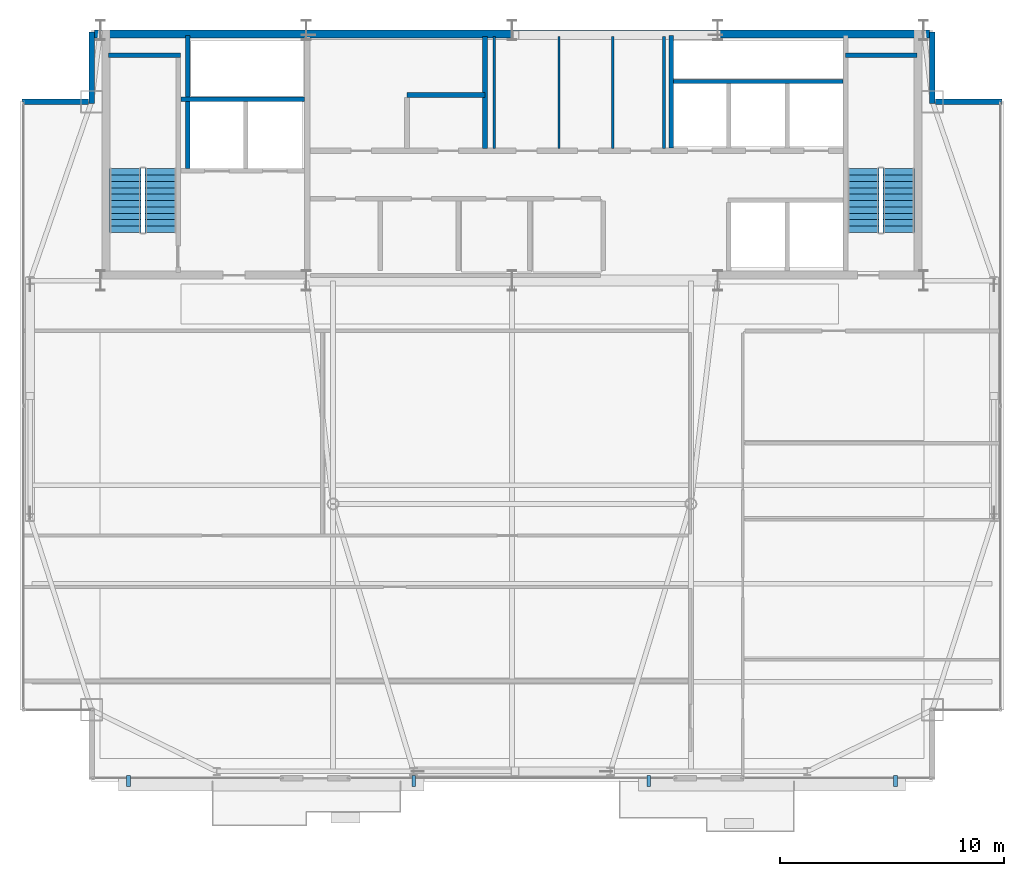
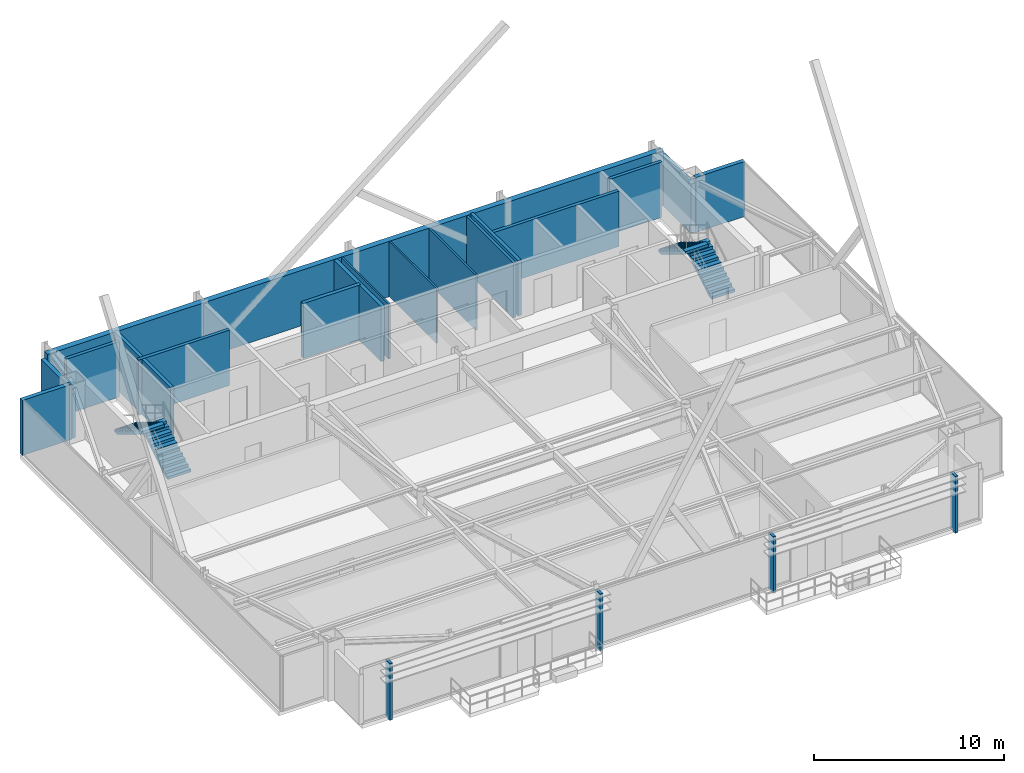
# One storey, part 23 of 25: 17 walls, 4 discrete accessories, 4 stair flights, 2 elements without a shape of their own.
"""IFC4 building model written with IfcOpenShell, lengths in metres."""

from ifc_helpers import new_model, si_unit, direction, frame, frame_2d, origin, origin_2d, place, context, subcontext, project, spatial, polyline, rectangle, outline, extrude, source, transform, mapped, material, layer, layer_set, type_object, type_shapes, element, aggregate, save


model = new_model("IFC4")

# Units and contexts
model_context = context("Model", 3, precision=1e-05, world=origin(), true_north=direction((0.0, 1.0)))
body_context = subcontext(model_context, "Body", "Model", "MODEL_VIEW")
ifc_project = project(units=[si_unit("LENGTHUNIT", "METRE"), si_unit("AREAUNIT", "SQUARE_METRE"), si_unit("VOLUMEUNIT", "CUBIC_METRE"), si_unit("PLANEANGLEUNIT", "RADIAN"), si_unit("MASSUNIT", "GRAM", prefix="KILO")], contexts=[model_context])

# Site, building, storey
site_placement = place(None, origin())
site = spatial("IfcSite", under=ifc_project, at=site_placement, CompositionType="ELEMENT")
building_placement = place(site_placement, origin())
building = spatial("IfcBuilding", under=site, at=building_placement, Name="Varnel Quay Broadcast Tower", CompositionType="ELEMENT")
storey_placement = place(building_placement, frame((0.0, 0.0, 273.60009765625)))
storey = spatial("IfcBuildingStorey", under=building, at=storey_placement, Name="L68", CompositionType="ELEMENT", Elevation=273.60009765625)

# Walls
ifc_material_1 = material(Name="Concrete CSA A23.3 C50/60", Category="concrete")
ifc_layer_1 = layer(ifc_material_1, 0.199951171875, Name="Concrete CSA A23.3 C50/60")
ifc_layer_set_1 = layer_set([ifc_layer_1], Name="Concrete CSA A23.3 C50/60")
wall_type_1 = type_object("IfcWallType", Name="Wall_CoreShaftShear200", PredefinedType="SHEAR", material=ifc_layer_set_1)
wall_1_placement = place(storey_placement, frame((15.949951171875, 45.679931640625, 0.0), z_axis=(0.0, 0.0, 1.0), x_axis=(1.0, 0.0, 0.0)))
element("IfcWall", 1, at=wall_1_placement, inside=storey, type_object=wall_type_1, Name="L68 Stair 1 North Structural Wall", PredefinedType="SHEAR", context=body_context, shape_type="SweptSolid", body=[
    extrude(rectangle(XDim=3.22998046875, YDim=0.199951171875, at=frame_2d((1.614990234375, 0.0))), origin(), (0.0, 0.0, 1.0), 3.5498046875),
])
wall_2_placement = place(storey_placement, frame((19.199951171875, 43.699951171875, 0.0), z_axis=(0.0, 0.0, 1.0), x_axis=(1.0, 0.0, 0.0)))
element("IfcWall", 2, at=wall_2_placement, inside=storey, type_object=wall_type_1, Name="L68 Firefighter Lift Shaft Rear Wall", PredefinedType="SHEAR", context=body_context, shape_type="SweptSolid", body=[
    extrude(rectangle(XDim=5.52001953125, YDim=0.199951171875, at=frame_2d((2.760009765625, 0.0))), origin(), (0.0, 0.0, 1.0), 3.5498046875),
])
wall_3_placement = place(storey_placement, frame((19.5, 40.60009765625, 0.0), z_axis=(0.0, 0.0, 1.0), x_axis=(0.0, 1.0, 0.0)))
element("IfcWall", 3, at=wall_3_placement, inside=storey, type_object=wall_type_1, Name="L68 Firefighter Lift Shaft West Wall", PredefinedType="SHEAR", context=body_context, shape_type="SweptSolid", body=[
    extrude(rectangle(XDim=5.949951171875, YDim=0.199951171875, at=frame_2d((2.97509765625, 0.0))), origin(), (0.0, 0.0, 1.0), 3.5498046875),
])
wall_4_placement = place(storey_placement, frame((48.919921875, 45.679931640625, 0.0), z_axis=(0.0, 0.0, 1.0), x_axis=(1.0, 0.0, 0.0)))
element("IfcWall", 4, at=wall_4_placement, inside=storey, type_object=wall_type_1, Name="L68 Stair 2 North Structural Wall", PredefinedType="SHEAR", context=body_context, shape_type="SweptSolid", body=[
    extrude(rectangle(XDim=3.18017578125, YDim=0.199951171875, at=frame_2d((1.590087890625, 0.0))), origin(), (0.0, 0.0, 1.0), 3.5498046875),
])
wall_5_placement = place(storey_placement, frame((41.219970703125, 44.5, 0.0), z_axis=(0.0, 0.0, 1.0), x_axis=(1.0, 0.0, 0.0)))
element("IfcWall", 5, at=wall_5_placement, inside=storey, type_object=wall_type_1, Name="L68 High-Rise Lift Shaft Rear Wall", PredefinedType="SHEAR", context=body_context, shape_type="SweptSolid", body=[
    extrude(rectangle(XDim=7.580078125, YDim=0.199951171875, at=frame_2d((3.7900390625, 0.0))), origin(), (0.0, 0.0, 1.0), 3.5498046875),
])
wall_6_placement = place(storey_placement, frame((41.1201171875, 41.530029296875, 0.0), z_axis=(0.0, 0.0, 1.0), x_axis=(0.0, 1.0, 0.0)))
element("IfcWall", 6, at=wall_6_placement, inside=storey, type_object=wall_type_1, Name="L68 High-Rise Lift Shaft Divider 1", PredefinedType="SHEAR", context=body_context, shape_type="SweptSolid", body=[
    extrude(rectangle(XDim=5.02001953125, YDim=0.199951171875, at=frame_2d((2.510009765625, 0.0))), origin(), (0.0, 0.0, 1.0), 3.5498046875),
])
ifc_layer_2 = layer(ifc_material_1, 0.35009765625, Name="Concrete CSA A23.3 C50/60")
ifc_layer_set_2 = layer_set([ifc_layer_2], Name="Concrete CSA A23.3 C50/60")
wall_type_2 = type_object("IfcWallType", Name="Wall_CoreShearExt350", PredefinedType="SHEAR", material=ifc_layer_set_2)
wall_7_placement = place(storey_placement, frame((15.324951171875, 46.625, 0.0), z_axis=(0.0, 0.0, 1.0), x_axis=(1.0, 0.0, 0.0)))
element("IfcWall", 7, at=wall_7_placement, inside=storey, type_object=wall_type_2, Name="L68 North Core Shear Wall", PredefinedType="SHEAR", context=body_context, shape_type="SweptSolid", body=[
    extrude(rectangle(XDim=37.35009765625, YDim=0.35009765625, at=frame_2d((18.675048828125, 0.0))), origin(), (0.0, 0.0, 1.0), 3.5498046875),
])
ifc_material_2 = material(Name="Precast Architectural Concrete C40/50", Category="concrete")
ifc_layer_3 = layer(ifc_material_2, 0.25, Name="Precast Architectural Concrete C40/50")
ifc_layer_set_3 = layer_set([ifc_layer_3], Name="Precast Architectural Concrete C40/50")
wall_type_3 = type_object("IfcWallType", Name="Wall_ExtTerrace250", PredefinedType="SOLIDWALL", material=ifc_layer_set_3)
wall_8_placement = place(storey_placement, frame((12.080078125, 43.60009765625, 0.0), z_axis=(0.0, 0.0, 1.0), x_axis=(1.0, 0.0, 0.0)))
element("IfcWall", 8, at=wall_8_placement, inside=storey, type_object=wall_type_3, Name="L68 Mega-Column Notch Cladding Wall NNW1", PredefinedType="SOLIDWALL", context=body_context, shape_type="SweptSolid", body=[
    extrude(rectangle(XDim=2.989990234375, YDim=0.25, at=frame_2d((1.4951171875, 0.0))), origin(), (0.0, 0.0, 1.0), 3.52978515625),
])
wall_9_placement = place(storey_placement, frame((15.199951171875, 43.52001953125, 0.0), z_axis=(0.0, 0.0, 1.0), x_axis=(0.0, 1.0, 0.0)))
element("IfcWall", 9, at=wall_9_placement, inside=storey, type_object=wall_type_3, Name="L68 Mega-Column Notch Cladding Wall NNW2", PredefinedType="SOLIDWALL", context=body_context, shape_type="SweptSolid", body=[
    extrude(rectangle(XDim=3.199951171875, YDim=0.25, at=frame_2d((1.60009765625, 0.0))), origin(), (0.0, 0.0, 1.0), 3.1708984375),
])
wall_10_placement = place(storey_placement, frame((52.929931640625, 43.60009765625, 0.0), z_axis=(0.0, 0.0, 1.0), x_axis=(1.0, 0.0, 0.0)))
element("IfcWall", 10, at=wall_10_placement, inside=storey, type_object=wall_type_3, Name="L68 Mega-Column Notch Cladding Wall NNE1", PredefinedType="SOLIDWALL", context=body_context, shape_type="SweptSolid", body=[
    extrude(rectangle(XDim=2.989990234375, YDim=0.25, at=frame_2d((1.4951171875, 0.0))), origin(), (0.0, 0.0, 1.0), 3.52978515625),
])
wall_11_placement = place(storey_placement, frame((52.800048828125, 43.52001953125, 0.0), z_axis=(0.0, 0.0, 1.0), x_axis=(0.0, 1.0, 0.0)))
element("IfcWall", 11, at=wall_11_placement, inside=storey, type_object=wall_type_3, Name="L68 Mega-Column Notch Cladding Wall NNE2", PredefinedType="SOLIDWALL", context=body_context, shape_type="SweptSolid", body=[
    extrude(rectangle(XDim=3.199951171875, YDim=0.25, at=frame_2d((1.60009765625, 0.0))), origin(), (0.0, 0.0, 1.0), 3.1708984375),
])
ifc_material_3 = material(Name="Steel-Stud Fire-Rated Acoustic Gypsum Partition Assembly", Category="steel")
ifc_layer_4 = layer(ifc_material_3, 0.10498046875, Name="Steel-Stud Fire-Rated Acoustic Gypsum Partition Assembly")
ifc_layer_set_4 = layer_set([ifc_layer_4], Name="Steel-Stud Fire-Rated Acoustic Gypsum Partition Assembly")
wall_type_4 = type_object("IfcWallType", Name="Wall_Partition105", PredefinedType="PARTITIONING", material=ifc_layer_set_4)
for number, where, z_axis, x_axis, name in (
    (12, (36.10009765625, 41.5, 0.0), (0.0, 0.0, 1.0), (0.0, 1.0, 0.0), "L68 Audio Patch Closet Partition 22"),
    (13, (33.199951171875, 41.5, 0.0), (0.0, 0.0, 1.0), (0.0, 1.0, 0.0), "L68 Audio Patch Closet Partition 23"),
    (14, (38.5, 41.5, 0.0), (0.0, 0.0, 1.0), (0.0, 1.0, 0.0), "L68 Bureau Reference Archive Partition 24"),
):
    element("IfcWall", number, at=place(storey_placement, frame(where, z_axis=z_axis, x_axis=x_axis)), inside=storey, type_object=wall_type_4, Name=name, PredefinedType="PARTITIONING", context=body_context, shape_type="SweptSolid", body=[
        extrude(rectangle(XDim=5.02001953125, YDim=0.10498046875, at=frame_2d((2.510009765625, 0.0))), origin(), (0.0, 0.0, 1.0), 3.52978515625),
    ])
ifc_layer_5 = layer(ifc_material_3, 0.14990234375, Name="Steel-Stud Fire-Rated Acoustic Gypsum Partition Assembly")
ifc_layer_set_5 = layer_set([ifc_layer_5], Name="Steel-Stud Fire-Rated Acoustic Gypsum Partition Assembly")
wall_type_5 = type_object("IfcWallType", Name="Wall_Partition150", PredefinedType="PARTITIONING", material=ifc_layer_set_5)
wall_12_placement = place(storey_placement, frame((40.800048828125, 41.5, 0.0), z_axis=(0.0, 0.0, 1.0), x_axis=(0.0, 1.0, 0.0)))
element("IfcWall", 15, at=wall_12_placement, inside=storey, type_object=wall_type_5, Name="L68 Crew Espresso Niche Partition 25", PredefinedType="PARTITIONING", context=body_context, shape_type="SweptSolid", body=[
    extrude(rectangle(XDim=5.02001953125, YDim=0.14990234375, at=frame_2d((2.510009765625, 0.0))), origin(), (0.0, 0.0, 1.0), 3.52978515625),
])
ifc_layer_6 = layer(ifc_material_3, 0.22509765625, Name="Steel-Stud Fire-Rated Acoustic Gypsum Partition Assembly")
ifc_layer_set_6 = layer_set([ifc_layer_6], Name="Steel-Stud Fire-Rated Acoustic Gypsum Partition Assembly")
wall_type_6 = type_object("IfcWallType", Name="Wall_Partition225", PredefinedType="PARTITIONING", material=ifc_layer_set_6)
wall_13_placement = place(storey_placement, frame((29.300048828125, 43.89990234375, 0.0), z_axis=(0.0, 0.0, 1.0), x_axis=(1.0, 0.0, 0.0)))
element("IfcWall", 16, at=wall_13_placement, inside=storey, type_object=wall_type_6, Name="L68 Signal Routing Suite Partition 20", PredefinedType="PARTITIONING", context=body_context, shape_type="SweptSolid", body=[
    extrude(rectangle(XDim=3.5, YDim=0.22509765625, at=frame_2d((1.75, 0.0))), origin(), (0.0, 0.0, 1.0), 3.52978515625),
])
wall_14_placement = place(storey_placement, frame((32.800048828125, 41.5, 0.0), z_axis=(0.0, 0.0, 1.0), x_axis=(0.0, 1.0, 0.0)))
element("IfcWall", 17, at=wall_14_placement, inside=storey, type_object=wall_type_6, Name="L68 Signal Routing Suite Partition 21", PredefinedType="PARTITIONING", context=body_context, shape_type="SweptSolid", body=[
    extrude(rectangle(XDim=5.02001953125, YDim=0.22509765625, at=frame_2d((2.510009765625, 0.0))), origin(), (0.0, 0.0, 1.0), 3.52978515625),
])

# Stair, stair flights
ifc_material_4 = material(Name="Precast Structural Concrete C40/50", Category="concrete")
stair_type_1 = type_object("IfcStairType", Name="Stair_ST-01", PredefinedType="HALF_TURN_STAIR", material=ifc_material_4)
stair_1_placement = place(storey_placement, origin())
stair_1 = element("IfcStair", 18, at=stair_1_placement, inside=storey, type_object=stair_type_1, Name="L68 West Core Exit Stair 1", PredefinedType="HALF_TURN_STAIR")
stair_flight_type_1 = type_object("IfcStairFlightType", Name="Flight_ST-01", PredefinedType="STRAIGHT", material=ifc_material_4)
stair_flight_1_placement = place(storey_placement, frame((18.300048828125, 37.75, 0.0), z_axis=(0.0, 0.0, 1.0), x_axis=(0.0, 1.0, 0.0)))
stair_flight_1 = element("IfcStairFlight", 19, at=stair_flight_1_placement, type_object=stair_flight_type_1, Name="ST-01 flight 1", NumberOfRisers=11, NumberOfTreads=10, PredefinedType="STRAIGHT", RiserHeight=0.172727273, TreadLength=0.285, context=body_context, shape_type="SweptSolid", body=[
    extrude(outline(polyline([(0.0, 0.0), (0.0, 0.172607421875), (0.284912109375, 0.172607421875), (0.284912109375, 0.345458984375), (0.570068359375, 0.345458984375), (0.570068359375, 0.51806640625), (0.85498046875, 0.51806640625), (0.85498046875, 0.69091796875), (1.139892578125, 0.69091796875), (1.139892578125, 0.863525390625), (1.425048828125, 0.863525390625), (1.425048828125, 1.036376953125), (1.7099609375, 1.036376953125), (1.7099609375, 1.208984375), (1.9951171875, 1.208984375), (1.9951171875, 1.3818359375), (2.280029296875, 1.3818359375), (2.280029296875, 1.554443359375), (2.56494140625, 1.554443359375), (2.56494140625, 1.727294921875), (2.85009765625, 1.727294921875), (2.85009765625, 1.89990234375), (2.85009765625, 1.552001953125), (0.289306640625, 0.0), (0.0, 0.0)])), frame((0.0, 0.699951171875, 0.0), z_axis=(0.0, -1.0, 0.0), x_axis=(1.0, 0.0, 0.0)), (0.0, 0.0, 1.0), 1.39990234375),
])
stair_flight_2_placement = place(storey_placement, frame((16.699951171875, 40.60009765625, 1.89990234375), z_axis=(0.0, 0.0, 1.0), x_axis=(0.0, -1.0, 0.0)))
stair_flight_2 = element("IfcStairFlight", 20, at=stair_flight_2_placement, type_object=stair_flight_type_1, Name="ST-01 flight 2", NumberOfRisers=11, NumberOfTreads=10, PredefinedType="STRAIGHT", RiserHeight=0.172727273, TreadLength=0.285, context=body_context, shape_type="SweptSolid", body=[
    extrude(outline(polyline([(0.0, 0.0), (0.0, 0.172607421875), (0.284912109375, 0.172607421875), (0.284912109375, 0.345458984375), (0.570068359375, 0.345458984375), (0.570068359375, 0.51806640625), (0.85498046875, 0.51806640625), (0.85498046875, 0.69091796875), (1.139892578125, 0.69091796875), (1.139892578125, 0.863525390625), (1.425048828125, 0.863525390625), (1.425048828125, 1.036376953125), (1.7099609375, 1.036376953125), (1.7099609375, 1.208984375), (1.9951171875, 1.208984375), (1.9951171875, 1.3818359375), (2.280029296875, 1.3818359375), (2.280029296875, 1.554443359375), (2.56494140625, 1.554443359375), (2.56494140625, 1.727294921875), (2.85009765625, 1.727294921875), (2.85009765625, 1.89990234375), (2.85009765625, 1.552001953125), (0.289306640625, 0.0), (0.0, 0.0)])), frame((0.0, 0.699951171875, 0.0), z_axis=(0.0, -1.0, 0.0), x_axis=(1.0, 0.0, 0.0)), (0.0, 0.0, 1.0), 1.39990234375),
])
aggregate(stair_1, [stair_flight_1, stair_flight_2])

stair_type_2 = type_object("IfcStairType", Name="Stair_ST-02", PredefinedType="HALF_TURN_STAIR", material=ifc_material_4)
stair_2_placement = place(storey_placement, origin())
stair_2 = element("IfcStair", 21, at=stair_2_placement, inside=storey, type_object=stair_type_2, Name="L68 East Core Exit Stair 2", PredefinedType="HALF_TURN_STAIR")
stair_flight_type_2 = type_object("IfcStairFlightType", Name="Flight_ST-02", PredefinedType="STRAIGHT", material=ifc_material_4)
stair_flight_3_placement = place(storey_placement, frame((51.300048828125, 37.75, 0.0), z_axis=(0.0, 0.0, 1.0), x_axis=(0.0, 1.0, 0.0)))
stair_flight_3 = element("IfcStairFlight", 22, at=stair_flight_3_placement, type_object=stair_flight_type_2, Name="ST-02 flight 1", NumberOfRisers=11, NumberOfTreads=10, PredefinedType="STRAIGHT", RiserHeight=0.172727273, TreadLength=0.285, context=body_context, shape_type="SweptSolid", body=[
    extrude(outline(polyline([(0.0, 0.0), (0.0, 0.172607421875), (0.284912109375, 0.172607421875), (0.284912109375, 0.345458984375), (0.570068359375, 0.345458984375), (0.570068359375, 0.51806640625), (0.85498046875, 0.51806640625), (0.85498046875, 0.69091796875), (1.139892578125, 0.69091796875), (1.139892578125, 0.863525390625), (1.425048828125, 0.863525390625), (1.425048828125, 1.036376953125), (1.7099609375, 1.036376953125), (1.7099609375, 1.208984375), (1.9951171875, 1.208984375), (1.9951171875, 1.3818359375), (2.280029296875, 1.3818359375), (2.280029296875, 1.554443359375), (2.56494140625, 1.554443359375), (2.56494140625, 1.727294921875), (2.85009765625, 1.727294921875), (2.85009765625, 1.89990234375), (2.85009765625, 1.552001953125), (0.289306640625, 0.0), (0.0, 0.0)])), frame((0.0, 0.699951171875, 0.0), z_axis=(0.0, -1.0, 0.0), x_axis=(1.0, 0.0, 0.0)), (0.0, 0.0, 1.0), 1.39990234375),
])
stair_flight_4_placement = place(storey_placement, frame((49.699951171875, 40.60009765625, 1.89990234375), z_axis=(0.0, 0.0, 1.0), x_axis=(0.0, -1.0, 0.0)))
stair_flight_4 = element("IfcStairFlight", 23, at=stair_flight_4_placement, type_object=stair_flight_type_2, Name="ST-02 flight 2", NumberOfRisers=11, NumberOfTreads=10, PredefinedType="STRAIGHT", RiserHeight=0.172727273, TreadLength=0.285, context=body_context, shape_type="SweptSolid", body=[
    extrude(outline(polyline([(0.0, 0.0), (0.0, 0.172607421875), (0.284912109375, 0.172607421875), (0.284912109375, 0.345458984375), (0.570068359375, 0.345458984375), (0.570068359375, 0.51806640625), (0.85498046875, 0.51806640625), (0.85498046875, 0.69091796875), (1.139892578125, 0.69091796875), (1.139892578125, 0.863525390625), (1.425048828125, 0.863525390625), (1.425048828125, 1.036376953125), (1.7099609375, 1.036376953125), (1.7099609375, 1.208984375), (1.9951171875, 1.208984375), (1.9951171875, 1.3818359375), (2.280029296875, 1.3818359375), (2.280029296875, 1.554443359375), (2.56494140625, 1.554443359375), (2.56494140625, 1.727294921875), (2.85009765625, 1.727294921875), (2.85009765625, 1.89990234375), (2.85009765625, 1.552001953125), (0.289306640625, 0.0), (0.0, 0.0)])), frame((0.0, 0.699951171875, 0.0), z_axis=(0.0, -1.0, 0.0), x_axis=(1.0, 0.0, 0.0)), (0.0, 0.0, 1.0), 1.39990234375),
])
aggregate(stair_2, [stair_flight_3, stair_flight_4])

# Discrete accessories
ifc_material_5 = material(Name="Anodised Bronze Aluminium 6063-T6", Category="aluminium")
ifc_layer_7 = layer(ifc_material_5, 0.47998046875, Name="Anodised Bronze Aluminium 6063-T6")
ifc_layer_set_7 = layer_set([ifc_layer_7], Name="Anodised Bronze Aluminium 6063-T6")
discrete_accessory_type = type_object("IfcDiscreteAccessoryType", Name="Acc_FacadeBracket", PredefinedType="BRACKET", material=ifc_layer_set_7)
shared_shape = source(origin(), body_context, "Body", "SweptSolid", [
    extrude(rectangle(XDim=0.159912109375, YDim=0.47998046875, at=origin_2d()), origin(), (0.0, 0.0, 1.0), 3.64990234375),
])
type_shapes(discrete_accessory_type, [shared_shape])
for number, where, z_axis, x_axis, name in (
    (24, (16.85009765625, 13.219970703125, -0.150146484375), (0.0, 0.0, 1.0), (1.0, 0.0, 0.0), "L68 Lobe 1 Louvre Support Bracket 1"),
    (25, (29.60595703125, 13.219970703125, -0.150146484375), (0.0, 0.0, 1.0), (1.0, 0.0, 0.0), "L68 Lobe 1 Louvre Support Bracket 2"),
    (26, (40.10595703125, 13.219970703125, -0.150146484375), (0.0, 0.0, 1.0), (1.0, 0.0, 0.0), "L68 Lobe 2 Louvre Support Bracket 1"),
    (27, (51.14990234375, 13.219970703125, -0.150146484375), (0.0, 0.0, 1.0), (1.0, 0.0, 0.0), "L68 Lobe 2 Louvre Support Bracket 2"),
):
    element("IfcDiscreteAccessory", number, at=place(storey_placement, frame(where, z_axis=z_axis, x_axis=x_axis)), inside=storey, type_object=discrete_accessory_type, Name=name, PredefinedType="BRACKET", context=body_context, shape_type="MappedRepresentation", body=[
        mapped(shared_shape, transform((0.0, 0.0, 0.0), x_axis=(1.0, 0.0, 0.0), y_axis=(0.0, 1.0, 0.0), z_axis=(0.0, 0.0, 1.0), scale=1.0)),
    ])

save(model, "model.ifc")
